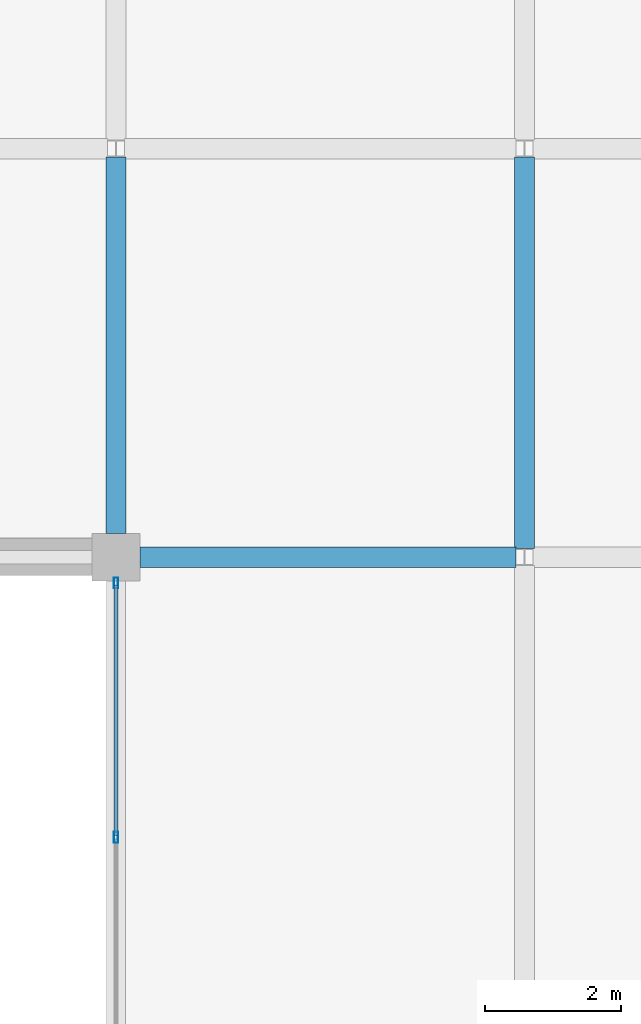
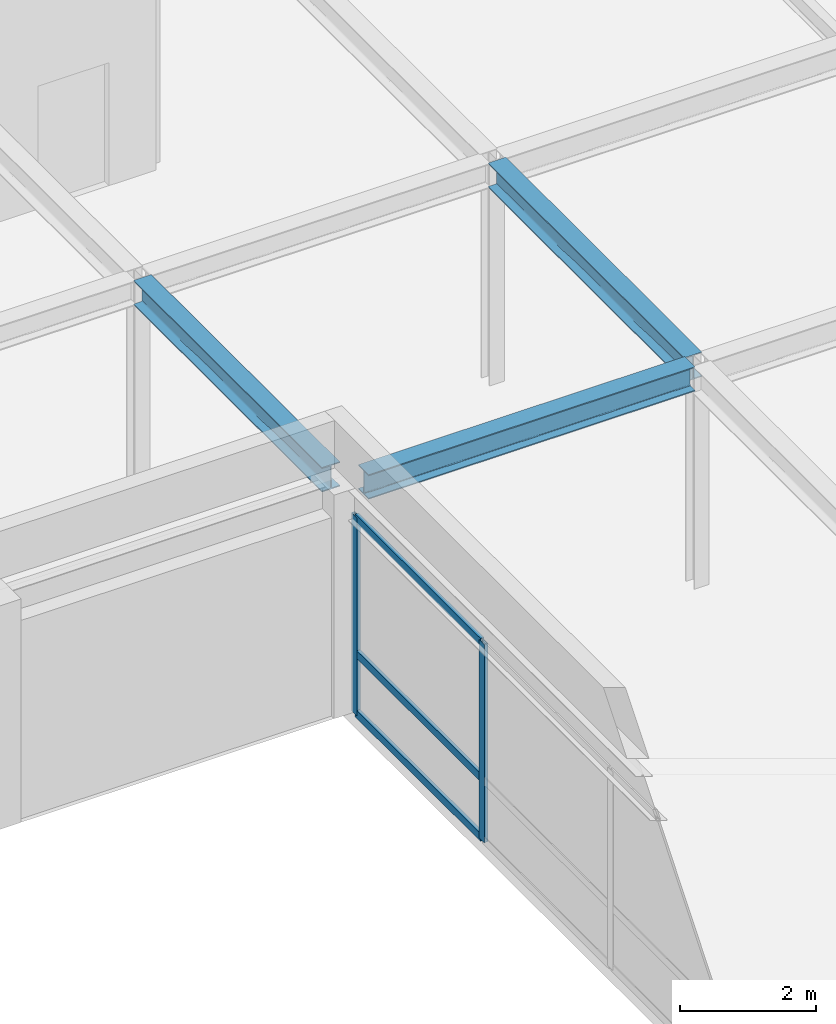
# One storey, part 61 of 111: 5 members, 3 beams, 1 element without a shape of its own.
"""IFC4 building model written with IfcOpenShell, lengths in metres."""

from ifc_helpers import new_model, si_unit, direction, frame, origin, origin_2d, place, context, subcontext, project, spatial, hollow_rectangle, i_section, extrude, material, layer, layer_set, material_profile, profile_set, type_object, element, aggregate, save


model = new_model("IFC4")

# Units and contexts
model_context = context("Model", 3, precision=1e-05, world=origin(), true_north=direction((0.0, 1.0)))
body_context = subcontext(model_context, "Body", "Model", "MODEL_VIEW")
ifc_project = project(units=[si_unit("LENGTHUNIT", "METRE"), si_unit("AREAUNIT", "SQUARE_METRE"), si_unit("VOLUMEUNIT", "CUBIC_METRE"), si_unit("PLANEANGLEUNIT", "RADIAN"), si_unit("MASSUNIT", "GRAM", prefix="KILO")], contexts=[model_context])

# Site, building, storey
site_placement = place(None, origin())
site = spatial("IfcSite", under=ifc_project, at=site_placement, CompositionType="ELEMENT")
building_placement = place(site_placement, origin())
building = spatial("IfcBuilding", under=site, at=building_placement, Name="Zlatovratsky Civic Hall", CompositionType="ELEMENT")
storey_placement = place(building_placement, frame((0.0, 0.0, 16.5)))
storey = spatial("IfcBuildingStorey", under=building, at=storey_placement, Name="L04", CompositionType="ELEMENT", Elevation=16.5)

# Beams
ifc_material_1 = material(Name="Steel S355", Category="steel")
ifc_material_profile_1 = material_profile(ifc_material_1, i_section(OverallWidth=0.300048828125, OverallDepth=0.43994140625, WebThickness=0.010986328125, FlangeThickness=0.01806640625, FilletRadius=0.02197265625, at=origin_2d()), Name="45Sh1")
ifc_profile_set_1 = profile_set([ifc_material_profile_1], Name="Steel S355")
beam_type = type_object("IfcBeamType", Name="Beam_TowerLow_45Sh1", PredefinedType="BEAM", material=ifc_profile_set_1)
for number, where, z_axis, x_axis, name in (
    (1, (114.35009765625, 12.0, 3.780029296875), (1.0, 0.0, 0.0), (0.0, 1.0, 0.0), "BM-3228"),
    (2, (114.0, 12.35009765625, 3.780029296875), (0.0, 1.0, 0.0), (-1.0, 0.0, 0.0), "BM-3723"),
):
    element("IfcBeam", number, at=place(storey_placement, frame(where, z_axis=z_axis, x_axis=x_axis)), inside=storey, type_object=beam_type, Name=name, PredefinedType="BEAM", context=body_context, shape_type="SweptSolid", body=[
        extrude(i_section(OverallWidth=0.300048828125, OverallDepth=0.43994140625, WebThickness=0.010986328125, FlangeThickness=0.01806640625, FilletRadius=0.02197265625, at=origin_2d()), origin(), (0.0, 0.0, 1.0), 5.52490234375),
    ])
beam_placement = place(storey_placement, frame((120.0, 12.125, 3.780029296875), z_axis=(0.0, 1.0, 0.0), x_axis=(-1.0, 0.0, 0.0)))
element("IfcBeam", 3, at=beam_placement, inside=storey, type_object=beam_type, Name="BM-3740", PredefinedType="BEAM", context=body_context, shape_type="SweptSolid", body=[
    extrude(i_section(OverallWidth=0.300048828125, OverallDepth=0.43994140625, WebThickness=0.010986328125, FlangeThickness=0.01806640625, FilletRadius=0.02197265625, at=origin_2d()), origin(), (0.0, 0.0, 1.0), 5.75),
])

# Curtain wall, members
ifc_material_2 = material(Name="Anodised bronze aluminium", Category="aluminium")
ifc_layer = layer(ifc_material_2, 0.159912109375)
ifc_layer_set = layer_set([ifc_layer], Name="Anodised bronze aluminium")
curtain_wall_type = type_object("IfcCurtainWallType", Name="CurtainWall_Bronze_11300x3550_13", PredefinedType="NOTDEFINED", material=ifc_layer_set)
curtain_wall_placement = place(storey_placement, origin())
curtain_wall = element("IfcCurtainWall", 4, at=curtain_wall_placement, inside=storey, type_object=curtain_wall_type, Name="CW-088", PredefinedType="NOTDEFINED")
ifc_material_profile_2 = material_profile(ifc_material_2, hollow_rectangle(XDim=0.06005859375, YDim=0.159912109375, WallThickness=0.00390625, at=origin_2d()), Name="ALU 60x160x4")
ifc_profile_set_2 = profile_set([ifc_material_profile_2], Name="Anodised bronze aluminium")
member_type_1 = type_object("IfcMemberType", Name="CW_Mullion_60x160", PredefinedType="MULLION", material=ifc_profile_set_2)
member_1_placement = place(storey_placement, frame((114.0, 7.88330078125, 0.0), z_axis=(0.0, 0.0, 1.0), x_axis=(-1.0, 0.0, 0.0)))
member_1 = element("IfcMember", 5, at=member_1_placement, type_object=member_type_1, Name="CW-13 mullion 3", PredefinedType="MULLION", context=body_context, shape_type="SweptSolid", body=[
    extrude(hollow_rectangle(XDim=0.06005859375, YDim=0.159912109375, WallThickness=0.00390625, at=origin_2d()), origin(), (0.0, 0.0, 1.0), 3.550048828125),
])
member_2_placement = place(storey_placement, frame((114.0, 11.6201171875, 0.0), z_axis=(0.0, 0.0, 1.0), x_axis=(-1.0, 0.0, 0.0)))
member_2 = element("IfcMember", 6, at=member_2_placement, type_object=member_type_1, Name="CW-13 mullion 4", PredefinedType="MULLION", context=body_context, shape_type="SweptSolid", body=[
    extrude(hollow_rectangle(XDim=0.06005859375, YDim=0.159912109375, WallThickness=0.00390625, at=origin_2d()), origin(), (0.0, 0.0, 1.0), 3.550048828125),
])
ifc_material_profile_3 = material_profile(ifc_material_2, hollow_rectangle(XDim=0.06005859375, YDim=0.139892578125, WallThickness=0.00390625, at=origin_2d()), Name="ALU 60x140x4")
ifc_profile_set_3 = profile_set([ifc_material_profile_3], Name="Anodised bronze aluminium")
member_type_2 = type_object("IfcMemberType", Name="CW_Transom_60x140", PredefinedType="USERDEFINED", material=ifc_profile_set_3)
member_3_placement = place(storey_placement, frame((114.0, 7.913330078125, 0.030029296875), z_axis=(0.0, 1.0, 0.0), x_axis=(-1.0, 0.0, 0.0)))
member_3 = element("IfcMember", 7, at=member_3_placement, type_object=member_type_2, Name="CW-13 transom 3.1", ObjectType="TRANSOM", PredefinedType="USERDEFINED", context=body_context, shape_type="SweptSolid", body=[
    extrude(hollow_rectangle(XDim=0.06005859375, YDim=0.139892578125, WallThickness=0.00390625, at=origin_2d()), origin(), (0.0, 0.0, 1.0), 3.6767578125),
])
member_4_placement = place(storey_placement, frame((114.0, 7.913330078125, 1.10009765625), z_axis=(0.0, 1.0, 0.0), x_axis=(-1.0, 0.0, 0.0)))
member_4 = element("IfcMember", 8, at=member_4_placement, type_object=member_type_2, Name="CW-13 transom 3.2", ObjectType="TRANSOM", PredefinedType="USERDEFINED", context=body_context, shape_type="SweptSolid", body=[
    extrude(hollow_rectangle(XDim=0.06005859375, YDim=0.139892578125, WallThickness=0.00390625, at=origin_2d()), origin(), (0.0, 0.0, 1.0), 3.6767578125),
])
member_5_placement = place(storey_placement, frame((114.0, 7.913330078125, 3.52001953125), z_axis=(0.0, 1.0, 0.0), x_axis=(-1.0, 0.0, 0.0)))
member_5 = element("IfcMember", 9, at=member_5_placement, type_object=member_type_2, Name="CW-13 transom 3.3", ObjectType="TRANSOM", PredefinedType="USERDEFINED", context=body_context, shape_type="SweptSolid", body=[
    extrude(hollow_rectangle(XDim=0.06005859375, YDim=0.139892578125, WallThickness=0.00390625, at=origin_2d()), origin(), (0.0, 0.0, 1.0), 3.6767578125),
])
aggregate(curtain_wall, [member_1, member_2, member_3, member_4, member_5])

save(model, "model.ifc")
